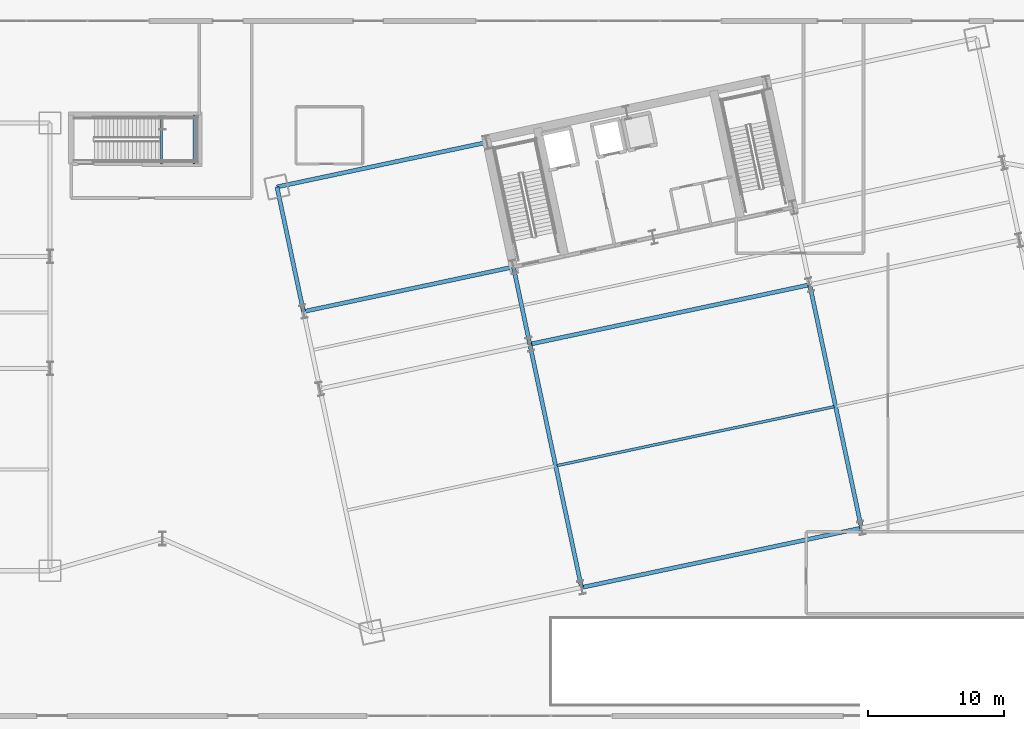
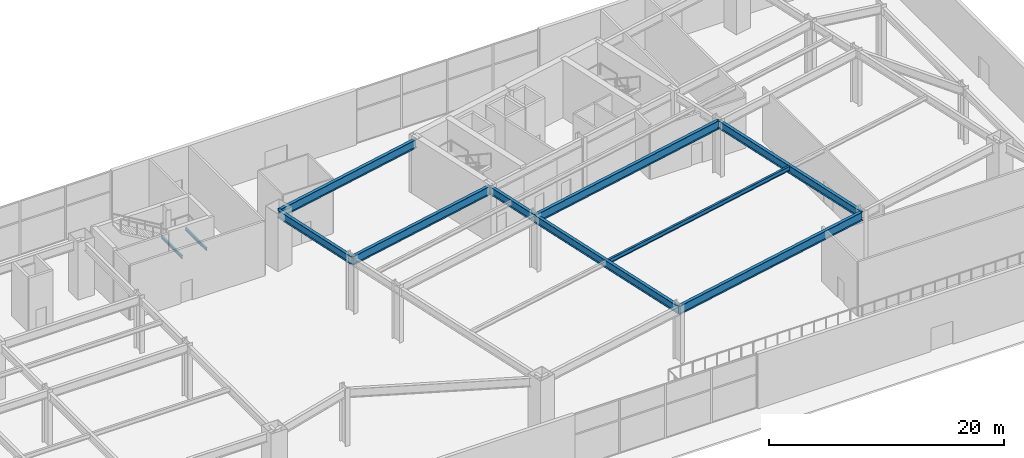
# One storey, part 13 of 30: 11 beams.
"""IFC4 building model written with IfcOpenShell, lengths in metres."""

from ifc_helpers import new_model, si_unit, direction, frame, origin, origin_2d, place, context, subcontext, project, spatial, i_section, extrude, material, material_profile, profile_set, type_object, element, save


model = new_model("IFC4")

# Units and contexts
model_context = context("Model", 3, precision=1e-05, world=origin(), true_north=direction((0.0, 1.0)))
body_context = subcontext(model_context, "Body", "Model", "MODEL_VIEW")
ifc_project = project(units=[si_unit("LENGTHUNIT", "METRE"), si_unit("AREAUNIT", "SQUARE_METRE"), si_unit("VOLUMEUNIT", "CUBIC_METRE"), si_unit("PLANEANGLEUNIT", "RADIAN"), si_unit("MASSUNIT", "GRAM", prefix="KILO")], contexts=[model_context])

# Site, building, storey
site_placement = place(None, origin())
site = spatial("IfcSite", under=ifc_project, at=site_placement, CompositionType="ELEMENT")
building_placement = place(site_placement, origin())
building = spatial("IfcBuilding", under=site, at=building_placement, Name="Haevon Station Towers", CompositionType="ELEMENT")
storey_placement = place(building_placement, origin())
storey = spatial("IfcBuildingStorey", under=building, at=storey_placement, Name="L00", CompositionType="ELEMENT", Elevation=0.0)

# Beams
ifc_material = material(Name="Steel S355", Category="steel")
ifc_material_profile_1 = material_profile(ifc_material, i_section(OverallWidth=0.199951171875, OverallDepth=0.449951171875, WebThickness=0.009033203125, FlangeThickness=0.013916015625, at=origin_2d()), Name="H-450x200x9x14")
ifc_profile_set_1 = profile_set([ifc_material_profile_1], Name="Steel S355")
beam_type_1 = type_object("IfcBeamType", Name="BM-J450", PredefinedType="JOIST", material=ifc_profile_set_1)
beam_1_placement = place(storey_placement, frame((101.963134765625, 22.866455078125, 5.47509765625), z_axis=(0.97814804034, 0.207909622623, 0.0), x_axis=(-0.207909622623, 0.97814804034, 0.0)))
element("IfcBeam", 1, at=beam_1_placement, inside=storey, type_object=beam_type_1, Name="BM-T2J-L00-01-02", PredefinedType="JOIST", context=body_context, shape_type="SweptSolid", body=[
    extrude(i_section(OverallWidth=0.199951171875, OverallDepth=0.449951171875, WebThickness=0.009033203125, FlangeThickness=0.013916015625, at=origin_2d()), origin(), (0.0, 0.0, 1.0), 20.77978515625),
])
ifc_material_profile_2 = material_profile(ifc_material, i_section(OverallWidth=0.14990234375, OverallDepth=0.300048828125, WebThickness=0.006591796875, FlangeThickness=0.009033203125, at=origin_2d()), Name="H-300x150x6.5x9")
ifc_profile_set_2 = profile_set([ifc_material_profile_2], Name="Steel S355")
beam_type_2 = type_object("IfcBeamType", Name="BM-LIN300", PredefinedType="LINTEL", material=ifc_profile_set_2)
for number, where, z_axis, x_axis, name in (
    (2, (72.93408203125, 45.0, 2.64990234375), (0.0, 1.0, 0.0), (-1.0, 0.0, 0.0), "BM-ST6L-L00-1-W"),
    (3, (75.320068359375, 45.0, 2.64990234375), (0.0, 1.0, 0.0), (-1.0, 0.0, 0.0), "BM-ST6L-L00-1-E"),
):
    element("IfcBeam", number, at=place(storey_placement, frame(where, z_axis=z_axis, x_axis=x_axis)), inside=storey, type_object=beam_type_2, Name=name, PredefinedType="LINTEL", context=body_context, shape_type="SweptSolid", body=[
        extrude(i_section(OverallWidth=0.14990234375, OverallDepth=0.300048828125, WebThickness=0.006591796875, FlangeThickness=0.009033203125, at=origin_2d()), origin(), (0.0, 0.0, 1.0), 3.60009765625),
    ])
ifc_material_profile_3 = material_profile(ifc_material, i_section(OverallWidth=0.300048828125, OverallDepth=0.800048828125, WebThickness=0.013916015625, FlangeThickness=0.02587890625, at=origin_2d()), Name="H-800x300x14x26")
ifc_profile_set_3 = profile_set([ifc_material_profile_3], Name="Steel S355")
beam_type_3 = type_object("IfcBeamType", Name="BM-PG800", PredefinedType="BEAM", material=ifc_profile_set_3)
beam_2_placement = place(storey_placement, frame((83.346435546875, 34.167724609375, 5.300048828125), z_axis=(-0.207897167074, 0.978150687738, 0.0), x_axis=(-0.978150687738, -0.207897167074, 0.0)))
element("IfcBeam", 4, at=beam_2_placement, inside=storey, type_object=beam_type_3, Name="BM-T2V-L00-01-03", PredefinedType="BEAM", context=body_context, shape_type="SweptSolid", body=[
    extrude(i_section(OverallWidth=0.300048828125, OverallDepth=0.800048828125, WebThickness=0.013916015625, FlangeThickness=0.02587890625, at=origin_2d()), origin(), (0.0, 0.0, 1.0), 9.35009765625),
])
beam_3_placement = place(storey_placement, frame((103.752685546875, 13.91796875, 5.300048828125), z_axis=(-0.207915393978, 0.978146813595, 0.0), x_axis=(-0.978146813595, -0.207915393978, 0.0)))
element("IfcBeam", 5, at=beam_3_placement, inside=storey, type_object=beam_type_3, Name="BM-T2V-L00-02-01", PredefinedType="BEAM", context=body_context, shape_type="SweptSolid", body=[
    extrude(i_section(OverallWidth=0.300048828125, OverallDepth=0.800048828125, WebThickness=0.013916015625, FlangeThickness=0.02587890625, at=origin_2d()), origin(), (0.0, 0.0, 1.0), 18.25),
])
beam_4_placement = place(storey_placement, frame((99.958251953125, 31.76904296875, 5.300048828125), z_axis=(-0.207896009217, 0.97815093383, 0.0), x_axis=(-0.97815093383, -0.207896009217, 0.0)))
element("IfcBeam", 6, at=beam_4_placement, inside=storey, type_object=beam_type_3, Name="BM-T2V-L00-02-02", PredefinedType="BEAM", context=body_context, shape_type="SweptSolid", body=[
    extrude(i_section(OverallWidth=0.300048828125, OverallDepth=0.800048828125, WebThickness=0.013916015625, FlangeThickness=0.02587890625, at=origin_2d()), origin(), (0.0, 0.0, 1.0), 5.800048828125),
])
beam_5_placement = place(storey_placement, frame((124.293701171875, 18.2841796875, 5.300048828125), z_axis=(-0.207915393978, 0.978146813595, 0.0), x_axis=(-0.978146813595, -0.207915393978, 0.0)))
element("IfcBeam", 7, at=beam_5_placement, inside=storey, type_object=beam_type_3, Name="BM-T2V-L00-04-01", PredefinedType="BEAM", context=body_context, shape_type="SweptSolid", body=[
    extrude(i_section(OverallWidth=0.300048828125, OverallDepth=0.800048828125, WebThickness=0.013916015625, FlangeThickness=0.02587890625, at=origin_2d()), origin(), (0.0, 0.0, 1.0), 18.25),
])
ifc_material_profile_4 = material_profile(ifc_material, i_section(OverallWidth=0.300048828125, OverallDepth=0.89990234375, WebThickness=0.01611328125, FlangeThickness=0.028076171875, at=origin_2d()), Name="H-900x300x16x28")
ifc_profile_set_4 = profile_set([ifc_material_profile_4], Name="Steel S355")
beam_type_4 = type_object("IfcBeamType", Name="BM-PG900", PredefinedType="BEAM", material=ifc_profile_set_4)
for number, where, z_axis, x_axis, name in (
    (8, (103.752685546875, 13.91796875, 5.25), (0.978146794194, 0.207915485254, 0.0), (-0.207915485254, 0.978146794194, 0.0), "BM-T2U-L00-01-02"),
    (9, (99.958251953125, 31.76904296875, 5.25), (0.978146794194, 0.207915485254, 0.0), (-0.207915485254, 0.978146794194, 0.0), "BM-T2U-L00-02-02"),
):
    element("IfcBeam", number, at=place(storey_placement, frame(where, z_axis=z_axis, x_axis=x_axis)), inside=storey, type_object=beam_type_4, Name=name, PredefinedType="BEAM", context=body_context, shape_type="SweptSolid", body=[
        extrude(i_section(OverallWidth=0.300048828125, OverallDepth=0.89990234375, WebThickness=0.01611328125, FlangeThickness=0.028076171875, at=origin_2d()), origin(), (0.0, 0.0, 1.0), 21.0),
    ])
beam_6_placement = place(storey_placement, frame((83.346435546875, 34.167724609375, 5.25), z_axis=(0.978147464271, 0.207912332825, 0.0), x_axis=(-0.207912332825, 0.978147464271, 0.0)))
element("IfcBeam", 10, at=beam_6_placement, inside=storey, type_object=beam_type_4, Name="BM-T2U-L00-03-01", PredefinedType="BEAM", context=body_context, shape_type="SweptSolid", body=[
    extrude(i_section(OverallWidth=0.300048828125, OverallDepth=0.89990234375, WebThickness=0.01611328125, FlangeThickness=0.028076171875, at=origin_2d()), origin(), (0.0, 0.0, 1.0), 15.750244140625),
])
beam_7_placement = place(storey_placement, frame((81.402587890625, 43.3134765625, 5.25), z_axis=(0.978146794194, 0.207915485254, 0.0), x_axis=(-0.207915485254, 0.978146794194, 0.0)))
element("IfcBeam", 11, at=beam_7_placement, inside=storey, type_object=beam_type_4, Name="BM-T2U-L00-04-01", PredefinedType="BEAM", context=body_context, shape_type="SweptSolid", body=[
    extrude(i_section(OverallWidth=0.300048828125, OverallDepth=0.89990234375, WebThickness=0.01611328125, FlangeThickness=0.028076171875, at=origin_2d()), origin(), (0.0, 0.0, 1.0), 15.75),
])

save(model, "model.ifc")
